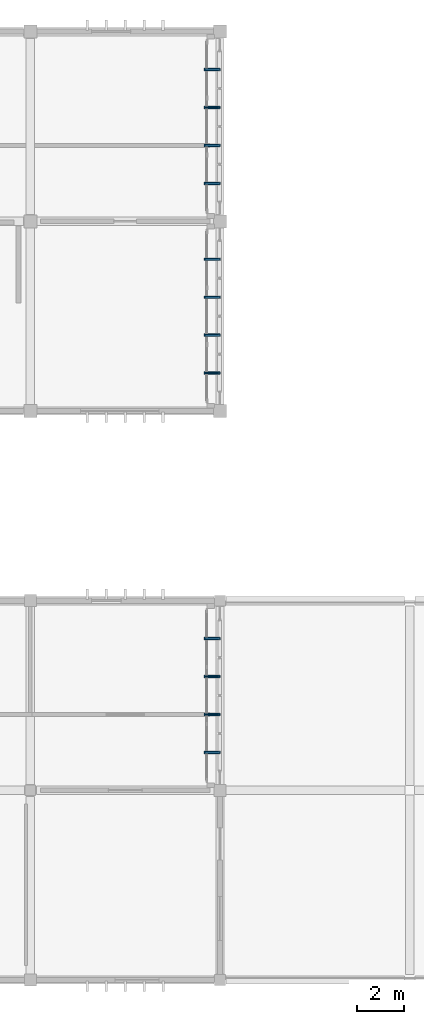
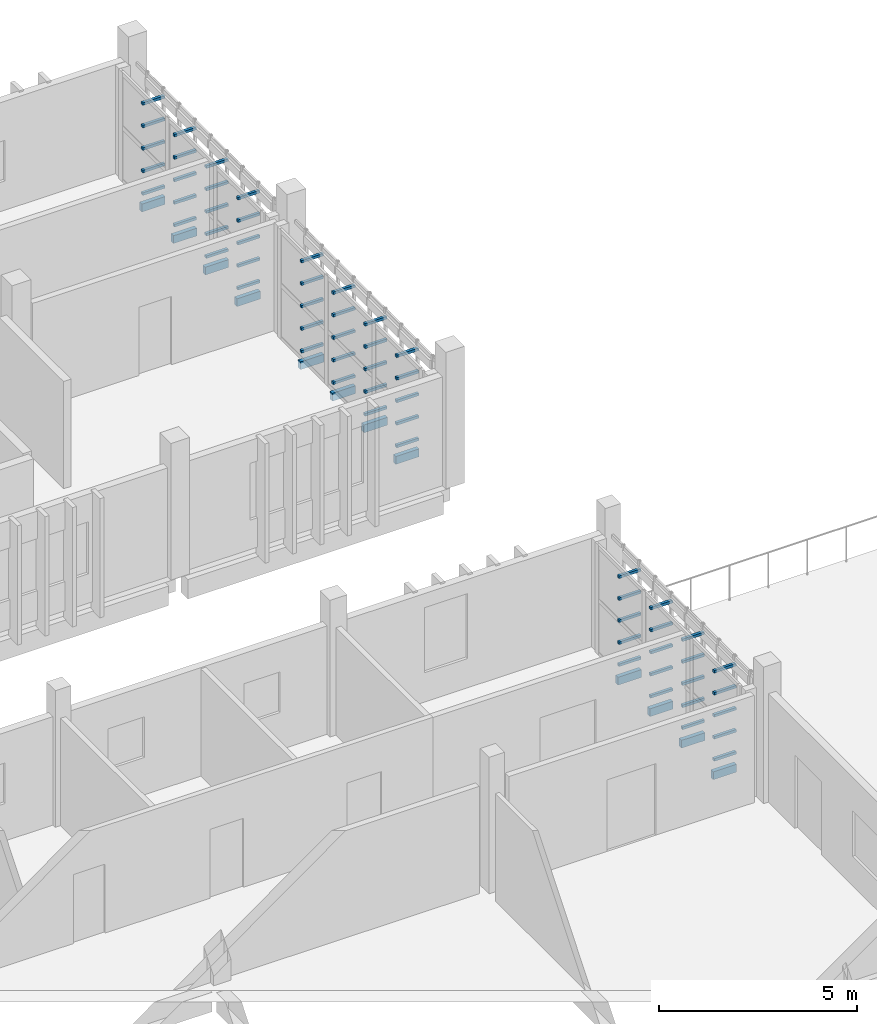
# One storey, part 28 of 32: 72 discrete accessories.
"""IFC4 building model written with IfcOpenShell, lengths in metres."""

from ifc_helpers import new_model, si_unit, direction, frame, origin, origin_2d, place, context, subcontext, project, spatial, rectangle, extrude, material, type_object, element, save


model = new_model("IFC4")

# Units and contexts
model_context = context("Model", 3, precision=1e-05, world=origin(), true_north=direction((0.0, 1.0)))
body_context = subcontext(model_context, "Body", "Model", "MODEL_VIEW")
ifc_project = project(units=[si_unit("LENGTHUNIT", "METRE"), si_unit("AREAUNIT", "SQUARE_METRE"), si_unit("VOLUMEUNIT", "CUBIC_METRE"), si_unit("PLANEANGLEUNIT", "RADIAN"), si_unit("MASSUNIT", "GRAM", prefix="KILO")], contexts=[model_context])

# Site, building, storey
site_placement = place(None, origin())
site = spatial("IfcSite", under=ifc_project, at=site_placement, CompositionType="ELEMENT")
building_placement = place(site_placement, origin())
building = spatial("IfcBuilding", under=site, at=building_placement, Name="Jelvoka-Kovrelna Polytechnic", CompositionType="ELEMENT")
storey_placement = place(building_placement, frame((0.0, 0.0, 26.39990234375)))
storey = spatial("IfcBuildingStorey", under=building, at=storey_placement, Name="L07", CompositionType="ELEMENT", Elevation=26.39990234375)

# Discrete accessories
ifc_material = material(Name="Structural steel S355JR", Category="steel")
discrete_accessory_type = type_object("IfcDiscreteAccessoryType", Name="Bracket_Outrigger_S355", PredefinedType="BRACKET", material=ifc_material)
discrete_accessory_1_placement = place(storey_placement, frame((183.679931640625, 41.60009765625, 0.340087890625), z_axis=(0.0, 0.0, 1.0), x_axis=(1.0, 0.0, 0.0)))
element("IfcDiscreteAccessory", 1, at=discrete_accessory_1_placement, inside=storey, type_object=discrete_accessory_type, Name="L07 screen outrigger tie bracket BRKM-PLT-SCR-0941", PredefinedType="BRACKET", context=body_context, shape_type="SweptSolid", body=[
    extrude(rectangle(XDim=0.639892578125, YDim=0.080078125, at=origin_2d()), origin(), (0.0, 0.0, 1.0), 0.080078125),
])
discrete_accessory_2_placement = place(storey_placement, frame((183.659912109375, 41.60009765625, -0.199951171875), z_axis=(0.0, 0.0, 1.0), x_axis=(1.0, 0.0, 0.0)))
element("IfcDiscreteAccessory", 2, at=discrete_accessory_2_placement, inside=storey, type_object=discrete_accessory_type, Name="L07 screen outrigger tie bracket BRK-PLT-SCR-0941", PredefinedType="BRACKET", context=body_context, shape_type="SweptSolid", body=[
    extrude(rectangle(XDim=0.679931640625, YDim=0.1201171875, at=origin_2d()), origin(), (0.0, 0.0, 1.0), 0.239990234375),
])
for number, where, z_axis, x_axis, name in (
    (3, (183.679931640625, 41.60009765625, 1.017578125), (0.0, 0.0, 1.0), (1.0, 0.0, 0.0), "L07 screen outrigger tie bracket BRKM-PLT-SCR-0942"),
    (4, (183.679931640625, 41.60009765625, 1.695068359375), (0.0, 0.0, 1.0), (1.0, 0.0, 0.0), "L07 screen outrigger tie bracket BRKM-PLT-SCR-0943"),
    (5, (183.679931640625, 41.60009765625, 2.37255859375), (0.0, 0.0, 1.0), (1.0, 0.0, 0.0), "L07 screen outrigger tie bracket BRKM-PLT-SCR-0944"),
    (6, (183.679931640625, 41.60009765625, 3.050048828125), (0.0, 0.0, 1.0), (1.0, 0.0, 0.0), "L07 screen outrigger tie bracket BRKM-PLT-SCR-0945"),
    (7, (183.679931640625, 43.199951171875, 0.340087890625), (0.0, 0.0, 1.0), (1.0, 0.0, 0.0), "L07 screen outrigger tie bracket BRKM-PLT-SCR-0946"),
):
    element("IfcDiscreteAccessory", number, at=place(storey_placement, frame(where, z_axis=z_axis, x_axis=x_axis)), inside=storey, type_object=discrete_accessory_type, Name=name, PredefinedType="BRACKET", context=body_context, shape_type="SweptSolid", body=[
        extrude(rectangle(XDim=0.639892578125, YDim=0.080078125, at=origin_2d()), origin(), (0.0, 0.0, 1.0), 0.080078125),
    ])
discrete_accessory_3_placement = place(storey_placement, frame((183.659912109375, 43.199951171875, -0.199951171875), z_axis=(0.0, 0.0, 1.0), x_axis=(1.0, 0.0, 0.0)))
element("IfcDiscreteAccessory", 8, at=discrete_accessory_3_placement, inside=storey, type_object=discrete_accessory_type, Name="L07 screen outrigger tie bracket BRK-PLT-SCR-0946", PredefinedType="BRACKET", context=body_context, shape_type="SweptSolid", body=[
    extrude(rectangle(XDim=0.679931640625, YDim=0.1201171875, at=origin_2d()), origin(), (0.0, 0.0, 1.0), 0.239990234375),
])
for number, where, z_axis, x_axis, name in (
    (9, (183.679931640625, 43.199951171875, 1.017578125), (0.0, 0.0, 1.0), (1.0, 0.0, 0.0), "L07 screen outrigger tie bracket BRKM-PLT-SCR-0947"),
    (10, (183.679931640625, 43.199951171875, 1.695068359375), (0.0, 0.0, 1.0), (1.0, 0.0, 0.0), "L07 screen outrigger tie bracket BRKM-PLT-SCR-0948"),
    (11, (183.679931640625, 43.199951171875, 2.37255859375), (0.0, 0.0, 1.0), (1.0, 0.0, 0.0), "L07 screen outrigger tie bracket BRKM-PLT-SCR-0949"),
    (12, (183.679931640625, 43.199951171875, 3.050048828125), (0.0, 0.0, 1.0), (1.0, 0.0, 0.0), "L07 screen outrigger tie bracket BRKM-PLT-SCR-0950"),
    (13, (183.679931640625, 44.800048828125, 0.340087890625), (0.0, 0.0, 1.0), (1.0, 0.0, 0.0), "L07 screen outrigger tie bracket BRKM-PLT-SCR-0951"),
):
    element("IfcDiscreteAccessory", number, at=place(storey_placement, frame(where, z_axis=z_axis, x_axis=x_axis)), inside=storey, type_object=discrete_accessory_type, Name=name, PredefinedType="BRACKET", context=body_context, shape_type="SweptSolid", body=[
        extrude(rectangle(XDim=0.639892578125, YDim=0.080078125, at=origin_2d()), origin(), (0.0, 0.0, 1.0), 0.080078125),
    ])
discrete_accessory_4_placement = place(storey_placement, frame((183.659912109375, 44.800048828125, -0.199951171875), z_axis=(0.0, 0.0, 1.0), x_axis=(1.0, 0.0, 0.0)))
element("IfcDiscreteAccessory", 14, at=discrete_accessory_4_placement, inside=storey, type_object=discrete_accessory_type, Name="L07 screen outrigger tie bracket BRK-PLT-SCR-0951", PredefinedType="BRACKET", context=body_context, shape_type="SweptSolid", body=[
    extrude(rectangle(XDim=0.679931640625, YDim=0.1201171875, at=origin_2d()), origin(), (0.0, 0.0, 1.0), 0.239990234375),
])
for number, where, z_axis, x_axis, name in (
    (15, (183.679931640625, 44.800048828125, 1.017578125), (0.0, 0.0, 1.0), (1.0, 0.0, 0.0), "L07 screen outrigger tie bracket BRKM-PLT-SCR-0952"),
    (16, (183.679931640625, 44.800048828125, 1.695068359375), (0.0, 0.0, 1.0), (1.0, 0.0, 0.0), "L07 screen outrigger tie bracket BRKM-PLT-SCR-0953"),
    (17, (183.679931640625, 44.800048828125, 2.37255859375), (0.0, 0.0, 1.0), (1.0, 0.0, 0.0), "L07 screen outrigger tie bracket BRKM-PLT-SCR-0954"),
    (18, (183.679931640625, 44.800048828125, 3.050048828125), (0.0, 0.0, 1.0), (1.0, 0.0, 0.0), "L07 screen outrigger tie bracket BRKM-PLT-SCR-0955"),
    (19, (183.679931640625, 46.39990234375, 0.340087890625), (0.0, 0.0, 1.0), (1.0, 0.0, 0.0), "L07 screen outrigger tie bracket BRKM-PLT-SCR-0956"),
):
    element("IfcDiscreteAccessory", number, at=place(storey_placement, frame(where, z_axis=z_axis, x_axis=x_axis)), inside=storey, type_object=discrete_accessory_type, Name=name, PredefinedType="BRACKET", context=body_context, shape_type="SweptSolid", body=[
        extrude(rectangle(XDim=0.639892578125, YDim=0.080078125, at=origin_2d()), origin(), (0.0, 0.0, 1.0), 0.080078125),
    ])
discrete_accessory_5_placement = place(storey_placement, frame((183.659912109375, 46.39990234375, -0.199951171875), z_axis=(0.0, 0.0, 1.0), x_axis=(1.0, 0.0, 0.0)))
element("IfcDiscreteAccessory", 20, at=discrete_accessory_5_placement, inside=storey, type_object=discrete_accessory_type, Name="L07 screen outrigger tie bracket BRK-PLT-SCR-0956", PredefinedType="BRACKET", context=body_context, shape_type="SweptSolid", body=[
    extrude(rectangle(XDim=0.679931640625, YDim=0.1201171875, at=origin_2d()), origin(), (0.0, 0.0, 1.0), 0.239990234375),
])
for number, where, z_axis, x_axis, name in (
    (21, (183.679931640625, 46.39990234375, 1.017578125), (0.0, 0.0, 1.0), (1.0, 0.0, 0.0), "L07 screen outrigger tie bracket BRKM-PLT-SCR-0957"),
    (22, (183.679931640625, 46.39990234375, 1.695068359375), (0.0, 0.0, 1.0), (1.0, 0.0, 0.0), "L07 screen outrigger tie bracket BRKM-PLT-SCR-0958"),
    (23, (183.679931640625, 46.39990234375, 2.37255859375), (0.0, 0.0, 1.0), (1.0, 0.0, 0.0), "L07 screen outrigger tie bracket BRKM-PLT-SCR-0959"),
    (24, (183.679931640625, 46.39990234375, 3.050048828125), (0.0, 0.0, 1.0), (1.0, 0.0, 0.0), "L07 screen outrigger tie bracket BRKM-PLT-SCR-0960"),
    (25, (183.679931640625, 57.60009765625, 0.280029296875), (0.0, 0.0, 1.0), (1.0, 0.0, 0.0), "L07 screen outrigger tie bracket BRKM-PLT-SCR-1241"),
):
    element("IfcDiscreteAccessory", number, at=place(storey_placement, frame(where, z_axis=z_axis, x_axis=x_axis)), inside=storey, type_object=discrete_accessory_type, Name=name, PredefinedType="BRACKET", context=body_context, shape_type="SweptSolid", body=[
        extrude(rectangle(XDim=0.639892578125, YDim=0.080078125, at=origin_2d()), origin(), (0.0, 0.0, 1.0), 0.080078125),
    ])
discrete_accessory_6_placement = place(storey_placement, frame((183.659912109375, 57.60009765625, -0.199951171875), z_axis=(0.0, 0.0, 1.0), x_axis=(1.0, 0.0, 0.0)))
element("IfcDiscreteAccessory", 26, at=discrete_accessory_6_placement, inside=storey, type_object=discrete_accessory_type, Name="L07 screen outrigger tie bracket BRK-PLT-SCR-1241", PredefinedType="BRACKET", context=body_context, shape_type="SweptSolid", body=[
    extrude(rectangle(XDim=0.679931640625, YDim=0.1201171875, at=origin_2d()), origin(), (0.0, 0.0, 1.0), 0.239990234375),
])
for number, where, z_axis, x_axis, name in (
    (27, (183.679931640625, 57.60009765625, 0.97265625), (0.0, 0.0, 1.0), (1.0, 0.0, 0.0), "L07 screen outrigger tie bracket BRKM-PLT-SCR-1242"),
    (28, (183.679931640625, 57.60009765625, 1.6650390625), (0.0, 0.0, 1.0), (1.0, 0.0, 0.0), "L07 screen outrigger tie bracket BRKM-PLT-SCR-1243"),
    (29, (183.679931640625, 57.60009765625, 2.357666015625), (0.0, 0.0, 1.0), (1.0, 0.0, 0.0), "L07 screen outrigger tie bracket BRKM-PLT-SCR-1244"),
    (30, (183.679931640625, 57.60009765625, 3.050048828125), (0.0, 0.0, 1.0), (1.0, 0.0, 0.0), "L07 screen outrigger tie bracket BRKM-PLT-SCR-1245"),
    (31, (183.679931640625, 59.199951171875, 0.280029296875), (0.0, 0.0, 1.0), (1.0, 0.0, 0.0), "L07 screen outrigger tie bracket BRKM-PLT-SCR-1246"),
):
    element("IfcDiscreteAccessory", number, at=place(storey_placement, frame(where, z_axis=z_axis, x_axis=x_axis)), inside=storey, type_object=discrete_accessory_type, Name=name, PredefinedType="BRACKET", context=body_context, shape_type="SweptSolid", body=[
        extrude(rectangle(XDim=0.639892578125, YDim=0.080078125, at=origin_2d()), origin(), (0.0, 0.0, 1.0), 0.080078125),
    ])
discrete_accessory_7_placement = place(storey_placement, frame((183.659912109375, 59.199951171875, -0.199951171875), z_axis=(0.0, 0.0, 1.0), x_axis=(1.0, 0.0, 0.0)))
element("IfcDiscreteAccessory", 32, at=discrete_accessory_7_placement, inside=storey, type_object=discrete_accessory_type, Name="L07 screen outrigger tie bracket BRK-PLT-SCR-1246", PredefinedType="BRACKET", context=body_context, shape_type="SweptSolid", body=[
    extrude(rectangle(XDim=0.679931640625, YDim=0.1201171875, at=origin_2d()), origin(), (0.0, 0.0, 1.0), 0.239990234375),
])
for number, where, z_axis, x_axis, name in (
    (33, (183.679931640625, 59.199951171875, 0.97265625), (0.0, 0.0, 1.0), (1.0, 0.0, 0.0), "L07 screen outrigger tie bracket BRKM-PLT-SCR-1247"),
    (34, (183.679931640625, 59.199951171875, 1.6650390625), (0.0, 0.0, 1.0), (1.0, 0.0, 0.0), "L07 screen outrigger tie bracket BRKM-PLT-SCR-1248"),
    (35, (183.679931640625, 59.199951171875, 2.357666015625), (0.0, 0.0, 1.0), (1.0, 0.0, 0.0), "L07 screen outrigger tie bracket BRKM-PLT-SCR-1249"),
    (36, (183.679931640625, 59.199951171875, 3.050048828125), (0.0, 0.0, 1.0), (1.0, 0.0, 0.0), "L07 screen outrigger tie bracket BRKM-PLT-SCR-1250"),
    (37, (183.679931640625, 60.800048828125, 0.280029296875), (0.0, 0.0, 1.0), (1.0, 0.0, 0.0), "L07 screen outrigger tie bracket BRKM-PLT-SCR-1251"),
):
    element("IfcDiscreteAccessory", number, at=place(storey_placement, frame(where, z_axis=z_axis, x_axis=x_axis)), inside=storey, type_object=discrete_accessory_type, Name=name, PredefinedType="BRACKET", context=body_context, shape_type="SweptSolid", body=[
        extrude(rectangle(XDim=0.639892578125, YDim=0.080078125, at=origin_2d()), origin(), (0.0, 0.0, 1.0), 0.080078125),
    ])
discrete_accessory_8_placement = place(storey_placement, frame((183.659912109375, 60.800048828125, -0.199951171875), z_axis=(0.0, 0.0, 1.0), x_axis=(1.0, 0.0, 0.0)))
element("IfcDiscreteAccessory", 38, at=discrete_accessory_8_placement, inside=storey, type_object=discrete_accessory_type, Name="L07 screen outrigger tie bracket BRK-PLT-SCR-1251", PredefinedType="BRACKET", context=body_context, shape_type="SweptSolid", body=[
    extrude(rectangle(XDim=0.679931640625, YDim=0.1201171875, at=origin_2d()), origin(), (0.0, 0.0, 1.0), 0.239990234375),
])
for number, where, z_axis, x_axis, name in (
    (39, (183.679931640625, 60.800048828125, 0.97265625), (0.0, 0.0, 1.0), (1.0, 0.0, 0.0), "L07 screen outrigger tie bracket BRKM-PLT-SCR-1252"),
    (40, (183.679931640625, 60.800048828125, 1.6650390625), (0.0, 0.0, 1.0), (1.0, 0.0, 0.0), "L07 screen outrigger tie bracket BRKM-PLT-SCR-1253"),
    (41, (183.679931640625, 60.800048828125, 2.357666015625), (0.0, 0.0, 1.0), (1.0, 0.0, 0.0), "L07 screen outrigger tie bracket BRKM-PLT-SCR-1254"),
    (42, (183.679931640625, 60.800048828125, 3.050048828125), (0.0, 0.0, 1.0), (1.0, 0.0, 0.0), "L07 screen outrigger tie bracket BRKM-PLT-SCR-1255"),
    (43, (183.679931640625, 62.39990234375, 0.280029296875), (0.0, 0.0, 1.0), (1.0, 0.0, 0.0), "L07 screen outrigger tie bracket BRKM-PLT-SCR-1256"),
):
    element("IfcDiscreteAccessory", number, at=place(storey_placement, frame(where, z_axis=z_axis, x_axis=x_axis)), inside=storey, type_object=discrete_accessory_type, Name=name, PredefinedType="BRACKET", context=body_context, shape_type="SweptSolid", body=[
        extrude(rectangle(XDim=0.639892578125, YDim=0.080078125, at=origin_2d()), origin(), (0.0, 0.0, 1.0), 0.080078125),
    ])
discrete_accessory_9_placement = place(storey_placement, frame((183.659912109375, 62.39990234375, -0.199951171875), z_axis=(0.0, 0.0, 1.0), x_axis=(1.0, 0.0, 0.0)))
element("IfcDiscreteAccessory", 44, at=discrete_accessory_9_placement, inside=storey, type_object=discrete_accessory_type, Name="L07 screen outrigger tie bracket BRK-PLT-SCR-1256", PredefinedType="BRACKET", context=body_context, shape_type="SweptSolid", body=[
    extrude(rectangle(XDim=0.679931640625, YDim=0.1201171875, at=origin_2d()), origin(), (0.0, 0.0, 1.0), 0.239990234375),
])
for number, where, z_axis, x_axis, name in (
    (45, (183.679931640625, 62.39990234375, 0.97265625), (0.0, 0.0, 1.0), (1.0, 0.0, 0.0), "L07 screen outrigger tie bracket BRKM-PLT-SCR-1257"),
    (46, (183.679931640625, 62.39990234375, 1.6650390625), (0.0, 0.0, 1.0), (1.0, 0.0, 0.0), "L07 screen outrigger tie bracket BRKM-PLT-SCR-1258"),
    (47, (183.679931640625, 62.39990234375, 2.357666015625), (0.0, 0.0, 1.0), (1.0, 0.0, 0.0), "L07 screen outrigger tie bracket BRKM-PLT-SCR-1259"),
    (48, (183.679931640625, 62.39990234375, 3.050048828125), (0.0, 0.0, 1.0), (1.0, 0.0, 0.0), "L07 screen outrigger tie bracket BRKM-PLT-SCR-1260"),
    (49, (183.679931640625, 65.60009765625, 0.280029296875), (0.0, 0.0, 1.0), (1.0, 0.0, 0.0), "L07 screen outrigger tie bracket BRKM-PLT-SCR-1261"),
):
    element("IfcDiscreteAccessory", number, at=place(storey_placement, frame(where, z_axis=z_axis, x_axis=x_axis)), inside=storey, type_object=discrete_accessory_type, Name=name, PredefinedType="BRACKET", context=body_context, shape_type="SweptSolid", body=[
        extrude(rectangle(XDim=0.639892578125, YDim=0.080078125, at=origin_2d()), origin(), (0.0, 0.0, 1.0), 0.080078125),
    ])
discrete_accessory_10_placement = place(storey_placement, frame((183.659912109375, 65.60009765625, -0.199951171875), z_axis=(0.0, 0.0, 1.0), x_axis=(1.0, 0.0, 0.0)))
element("IfcDiscreteAccessory", 50, at=discrete_accessory_10_placement, inside=storey, type_object=discrete_accessory_type, Name="L07 screen outrigger tie bracket BRK-PLT-SCR-1261", PredefinedType="BRACKET", context=body_context, shape_type="SweptSolid", body=[
    extrude(rectangle(XDim=0.679931640625, YDim=0.1201171875, at=origin_2d()), origin(), (0.0, 0.0, 1.0), 0.239990234375),
])
for number, where, z_axis, x_axis, name in (
    (51, (183.679931640625, 65.60009765625, 0.97265625), (0.0, 0.0, 1.0), (1.0, 0.0, 0.0), "L07 screen outrigger tie bracket BRKM-PLT-SCR-1262"),
    (52, (183.679931640625, 65.60009765625, 1.6650390625), (0.0, 0.0, 1.0), (1.0, 0.0, 0.0), "L07 screen outrigger tie bracket BRKM-PLT-SCR-1263"),
    (53, (183.679931640625, 65.60009765625, 2.357666015625), (0.0, 0.0, 1.0), (1.0, 0.0, 0.0), "L07 screen outrigger tie bracket BRKM-PLT-SCR-1264"),
    (54, (183.679931640625, 65.60009765625, 3.050048828125), (0.0, 0.0, 1.0), (1.0, 0.0, 0.0), "L07 screen outrigger tie bracket BRKM-PLT-SCR-1265"),
    (55, (183.679931640625, 67.199951171875, 0.280029296875), (0.0, 0.0, 1.0), (1.0, 0.0, 0.0), "L07 screen outrigger tie bracket BRKM-PLT-SCR-1266"),
):
    element("IfcDiscreteAccessory", number, at=place(storey_placement, frame(where, z_axis=z_axis, x_axis=x_axis)), inside=storey, type_object=discrete_accessory_type, Name=name, PredefinedType="BRACKET", context=body_context, shape_type="SweptSolid", body=[
        extrude(rectangle(XDim=0.639892578125, YDim=0.080078125, at=origin_2d()), origin(), (0.0, 0.0, 1.0), 0.080078125),
    ])
discrete_accessory_11_placement = place(storey_placement, frame((183.659912109375, 67.199951171875, -0.199951171875), z_axis=(0.0, 0.0, 1.0), x_axis=(1.0, 0.0, 0.0)))
element("IfcDiscreteAccessory", 56, at=discrete_accessory_11_placement, inside=storey, type_object=discrete_accessory_type, Name="L07 screen outrigger tie bracket BRK-PLT-SCR-1266", PredefinedType="BRACKET", context=body_context, shape_type="SweptSolid", body=[
    extrude(rectangle(XDim=0.679931640625, YDim=0.1201171875, at=origin_2d()), origin(), (0.0, 0.0, 1.0), 0.239990234375),
])
for number, where, z_axis, x_axis, name in (
    (57, (183.679931640625, 67.199951171875, 0.97265625), (0.0, 0.0, 1.0), (1.0, 0.0, 0.0), "L07 screen outrigger tie bracket BRKM-PLT-SCR-1267"),
    (58, (183.679931640625, 67.199951171875, 1.6650390625), (0.0, 0.0, 1.0), (1.0, 0.0, 0.0), "L07 screen outrigger tie bracket BRKM-PLT-SCR-1268"),
    (59, (183.679931640625, 67.199951171875, 2.357666015625), (0.0, 0.0, 1.0), (1.0, 0.0, 0.0), "L07 screen outrigger tie bracket BRKM-PLT-SCR-1269"),
    (60, (183.679931640625, 67.199951171875, 3.050048828125), (0.0, 0.0, 1.0), (1.0, 0.0, 0.0), "L07 screen outrigger tie bracket BRKM-PLT-SCR-1270"),
    (61, (183.679931640625, 68.800048828125, 0.280029296875), (0.0, 0.0, 1.0), (1.0, 0.0, 0.0), "L07 screen outrigger tie bracket BRKM-PLT-SCR-1271"),
):
    element("IfcDiscreteAccessory", number, at=place(storey_placement, frame(where, z_axis=z_axis, x_axis=x_axis)), inside=storey, type_object=discrete_accessory_type, Name=name, PredefinedType="BRACKET", context=body_context, shape_type="SweptSolid", body=[
        extrude(rectangle(XDim=0.639892578125, YDim=0.080078125, at=origin_2d()), origin(), (0.0, 0.0, 1.0), 0.080078125),
    ])
discrete_accessory_12_placement = place(storey_placement, frame((183.659912109375, 68.800048828125, -0.199951171875), z_axis=(0.0, 0.0, 1.0), x_axis=(1.0, 0.0, 0.0)))
element("IfcDiscreteAccessory", 62, at=discrete_accessory_12_placement, inside=storey, type_object=discrete_accessory_type, Name="L07 screen outrigger tie bracket BRK-PLT-SCR-1271", PredefinedType="BRACKET", context=body_context, shape_type="SweptSolid", body=[
    extrude(rectangle(XDim=0.679931640625, YDim=0.1201171875, at=origin_2d()), origin(), (0.0, 0.0, 1.0), 0.239990234375),
])
for number, where, z_axis, x_axis, name in (
    (63, (183.679931640625, 68.800048828125, 0.97265625), (0.0, 0.0, 1.0), (1.0, 0.0, 0.0), "L07 screen outrigger tie bracket BRKM-PLT-SCR-1272"),
    (64, (183.679931640625, 68.800048828125, 1.6650390625), (0.0, 0.0, 1.0), (1.0, 0.0, 0.0), "L07 screen outrigger tie bracket BRKM-PLT-SCR-1273"),
    (65, (183.679931640625, 68.800048828125, 2.357666015625), (0.0, 0.0, 1.0), (1.0, 0.0, 0.0), "L07 screen outrigger tie bracket BRKM-PLT-SCR-1274"),
    (66, (183.679931640625, 68.800048828125, 3.050048828125), (0.0, 0.0, 1.0), (1.0, 0.0, 0.0), "L07 screen outrigger tie bracket BRKM-PLT-SCR-1275"),
    (67, (183.679931640625, 70.39990234375, 0.280029296875), (0.0, 0.0, 1.0), (1.0, 0.0, 0.0), "L07 screen outrigger tie bracket BRKM-PLT-SCR-1276"),
):
    element("IfcDiscreteAccessory", number, at=place(storey_placement, frame(where, z_axis=z_axis, x_axis=x_axis)), inside=storey, type_object=discrete_accessory_type, Name=name, PredefinedType="BRACKET", context=body_context, shape_type="SweptSolid", body=[
        extrude(rectangle(XDim=0.639892578125, YDim=0.080078125, at=origin_2d()), origin(), (0.0, 0.0, 1.0), 0.080078125),
    ])
discrete_accessory_13_placement = place(storey_placement, frame((183.659912109375, 70.39990234375, -0.199951171875), z_axis=(0.0, 0.0, 1.0), x_axis=(1.0, 0.0, 0.0)))
element("IfcDiscreteAccessory", 68, at=discrete_accessory_13_placement, inside=storey, type_object=discrete_accessory_type, Name="L07 screen outrigger tie bracket BRK-PLT-SCR-1276", PredefinedType="BRACKET", context=body_context, shape_type="SweptSolid", body=[
    extrude(rectangle(XDim=0.679931640625, YDim=0.1201171875, at=origin_2d()), origin(), (0.0, 0.0, 1.0), 0.239990234375),
])
for number, where, z_axis, x_axis, name in (
    (69, (183.679931640625, 70.39990234375, 0.97265625), (0.0, 0.0, 1.0), (1.0, 0.0, 0.0), "L07 screen outrigger tie bracket BRKM-PLT-SCR-1277"),
    (70, (183.679931640625, 70.39990234375, 1.6650390625), (0.0, 0.0, 1.0), (1.0, 0.0, 0.0), "L07 screen outrigger tie bracket BRKM-PLT-SCR-1278"),
    (71, (183.679931640625, 70.39990234375, 2.357666015625), (0.0, 0.0, 1.0), (1.0, 0.0, 0.0), "L07 screen outrigger tie bracket BRKM-PLT-SCR-1279"),
    (72, (183.679931640625, 70.39990234375, 3.050048828125), (0.0, 0.0, 1.0), (1.0, 0.0, 0.0), "L07 screen outrigger tie bracket BRKM-PLT-SCR-1280"),
):
    element("IfcDiscreteAccessory", number, at=place(storey_placement, frame(where, z_axis=z_axis, x_axis=x_axis)), inside=storey, type_object=discrete_accessory_type, Name=name, PredefinedType="BRACKET", context=body_context, shape_type="SweptSolid", body=[
        extrude(rectangle(XDim=0.639892578125, YDim=0.080078125, at=origin_2d()), origin(), (0.0, 0.0, 1.0), 0.080078125),
    ])

save(model, "model.ifc")
